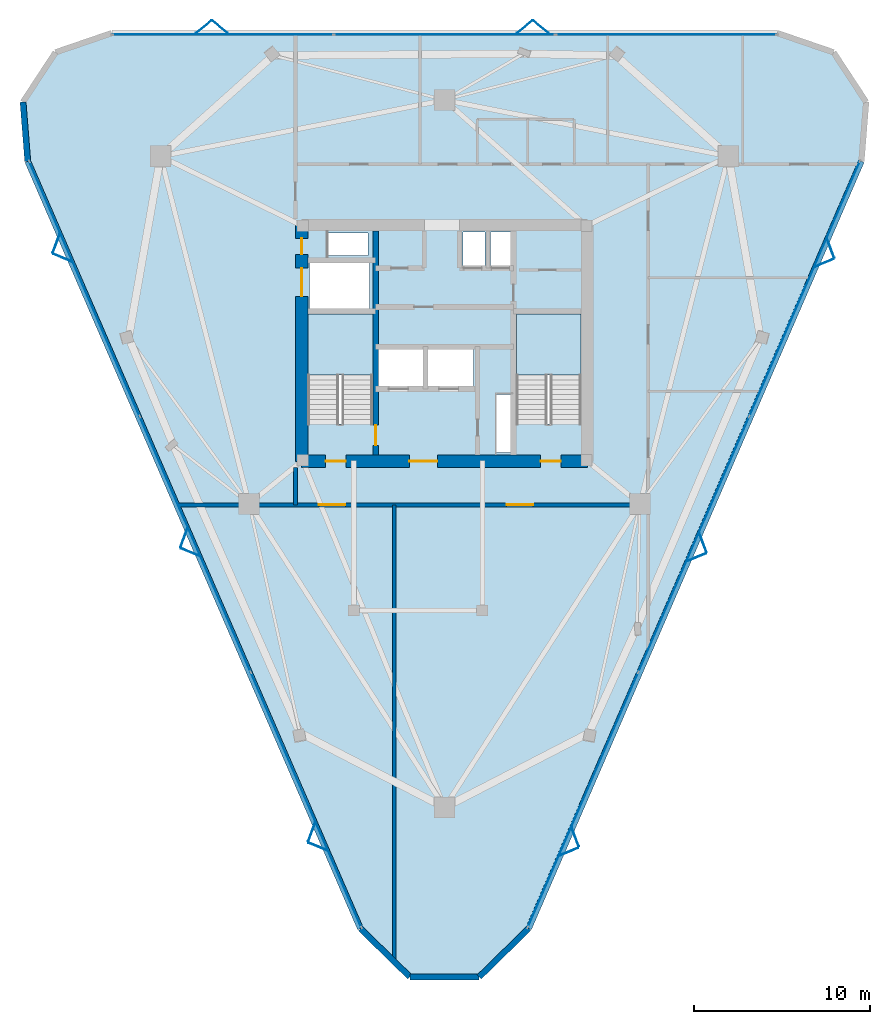
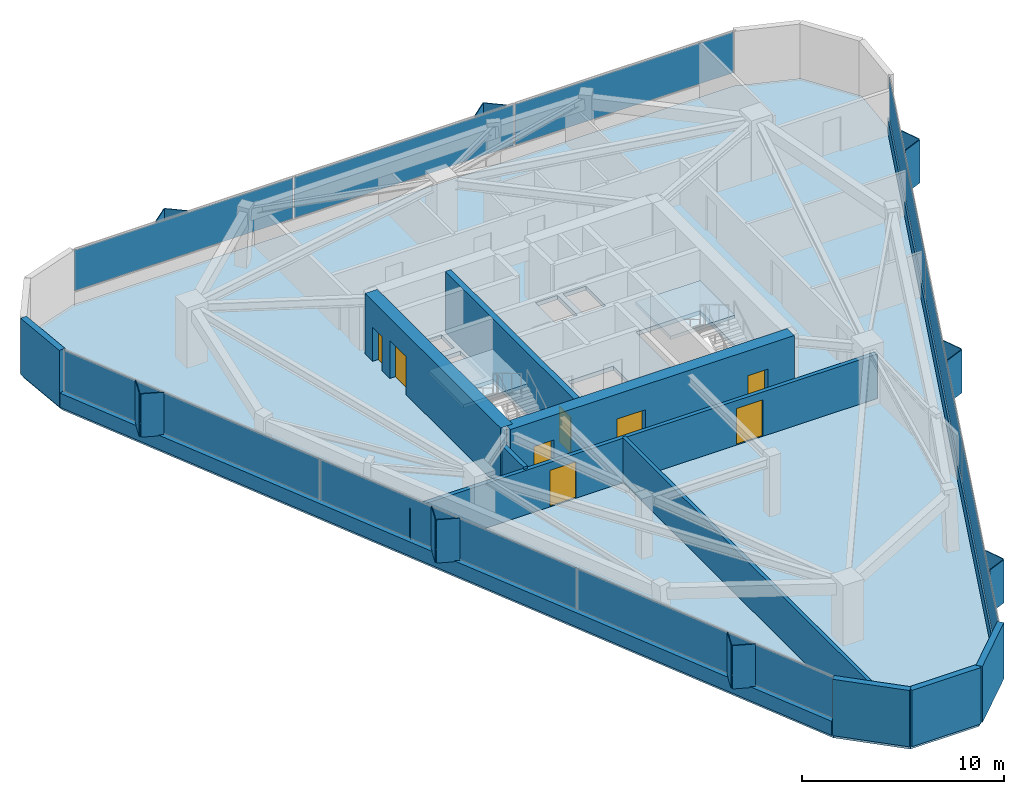
# One storey, part 8 of 11: 25 plates, 12 walls, 8 doors, 3 slabs, 8 openings, 5 elements without a shape of their own.
"""IFC4 building model written with IfcOpenShell, lengths in metres."""

from ifc_helpers import new_model, si_unit, direction, frame, frame_2d, origin, origin_2d, place, context, subcontext, project, spatial, polyline, rectangle, outline, extrude, material, layer, layer_set, type_object, element, fill, aggregate, save


model = new_model("IFC4")

# Units and contexts
model_context = context("Model", 3, precision=1e-05, world=origin(), true_north=direction((0.0, 1.0)))
body_context = subcontext(model_context, "Body", "Model", "MODEL_VIEW")
ifc_project = project(units=[si_unit("LENGTHUNIT", "METRE"), si_unit("AREAUNIT", "SQUARE_METRE"), si_unit("VOLUMEUNIT", "CUBIC_METRE"), si_unit("PLANEANGLEUNIT", "RADIAN"), si_unit("MASSUNIT", "GRAM", prefix="KILO")], contexts=[model_context])

# Site, building, storey
site_placement = place(None, origin())
site = spatial("IfcSite", under=ifc_project, at=site_placement, CompositionType="ELEMENT")
building_placement = place(site_placement, origin())
building = spatial("IfcBuilding", under=site, at=building_placement, Name="Talyreon Biosciences Tower", CompositionType="ELEMENT")
storey_placement = place(building_placement, frame((0.0, 0.0, 238.89990234375)))
storey = spatial("IfcBuildingStorey", under=building, at=storey_placement, Name="L63", CompositionType="ELEMENT", Elevation=238.89990234375)

# Curtain wall, plates
ifc_material_1 = material(Name="Thermally broken aluminium and low-E glazing", Category="aluminium")
ifc_layer_1 = layer(ifc_material_1, 0.175048828125)
ifc_layer_set_1 = layer_set([ifc_layer_1], Name="Thermally broken aluminium and low-E glazing")
curtain_wall_type = type_object("IfcCurtainWallType", Name="CurtainWall_Zone5CompLab", PredefinedType="NOTDEFINED", material=ifc_layer_set_1)
curtain_wall_1_placement = place(storey_placement, origin())
curtain_wall_1 = element("IfcCurtainWall", 1, at=curtain_wall_1_placement, inside=storey, type_object=curtain_wall_type, Name="L63 Unitised Curtain Wall FCW-L63-00", PredefinedType="NOTDEFINED")
ifc_material_2 = material(Name="Triple-silver low-E insulated glazing", Category="glass")
ifc_layer_2 = layer(ifc_material_2, 0.031982421875)
ifc_layer_set_2 = layer_set([ifc_layer_2], Name="Triple-silver low-E insulated glazing")
plate_type_1 = type_object("IfcPlateType", Name="CWGlazingPanel_32", PredefinedType="CURTAIN_PANEL", material=ifc_layer_set_2)
plate_1_placement = place(storey_placement, frame((58.1513671875, 42.10009765625, 0.875), z_axis=(0.0, 0.0, 1.0), x_axis=(-0.397832088162, 0.917458244079, 0.0)))
plate_1 = element("IfcPlate", 2, at=plate_1_placement, type_object=plate_type_1, Name="CW6 panel 1.1", PredefinedType="CURTAIN_PANEL", context=body_context, shape_type="SweptSolid", body=[
    extrude(rectangle(XDim=15.71240234375, YDim=0.031982421875, at=origin_2d()), origin(), (0.0, 0.0, 1.0), 2.4599609375),
])
plate_2_placement = place(storey_placement, frame((51.867919921875, 56.59033203125, 0.875), z_axis=(0.0, 0.0, 1.0), x_axis=(-0.397832088162, 0.917458244079, 0.0)))
plate_2 = element("IfcPlate", 3, at=plate_2_placement, type_object=plate_type_1, Name="CW6 panel 2.1", PredefinedType="CURTAIN_PANEL", context=body_context, shape_type="SweptSolid", body=[
    extrude(rectangle(XDim=15.7451171875, YDim=0.031982421875, at=origin_2d()), origin(), (0.0, 0.0, 1.0), 2.4599609375),
])
plate_3_placement = place(storey_placement, frame((45.584716796875, 71.080322265625, 0.875), z_axis=(0.0, 0.0, 1.0), x_axis=(-0.397832088162, 0.917458244079, 0.0)))
plate_3 = element("IfcPlate", 4, at=plate_3_placement, type_object=plate_type_1, Name="CW6 panel 3.1", PredefinedType="CURTAIN_PANEL", context=body_context, shape_type="SweptSolid", body=[
    extrude(rectangle(XDim=15.71240234375, YDim=0.031982421875, at=origin_2d()), origin(), (0.0, 0.0, 1.0), 2.4599609375),
])
aggregate(curtain_wall_1, [plate_1, plate_2, plate_3])

curtain_wall_2_placement = place(storey_placement, origin())
curtain_wall_2 = element("IfcCurtainWall", 5, at=curtain_wall_2_placement, inside=storey, type_object=curtain_wall_type, Name="L63 Unitised Curtain Wall FCW-L63-04", PredefinedType="NOTDEFINED")
plate_4_placement = place(storey_placement, frame((53.436767578125, 85.504638671875, 0.875), z_axis=(0.0, 0.0, 1.0), x_axis=(1.0, 0.0, 0.0)))
plate_4 = element("IfcPlate", 6, at=plate_4_placement, type_object=plate_type_1, Name="CW6 panel 1.1", PredefinedType="CURTAIN_PANEL", context=body_context, shape_type="SweptSolid", body=[
    extrude(rectangle(XDim=12.48193359375, YDim=0.031982421875, at=origin_2d()), origin(), (0.0, 0.0, 1.0), 2.4599609375),
])
plate_5_placement = place(storey_placement, frame((66.0, 85.504638671875, 0.875), z_axis=(0.0, 0.0, 1.0), x_axis=(1.0, 0.0, 0.0)))
plate_5 = element("IfcPlate", 7, at=plate_5_placement, type_object=plate_type_1, Name="CW6 panel 2.1", PredefinedType="CURTAIN_PANEL", context=body_context, shape_type="SweptSolid", body=[
    extrude(rectangle(XDim=12.514404296875, YDim=0.031982421875, at=origin_2d()), origin(), (0.0, 0.0, 1.0), 2.4599609375),
])
plate_6_placement = place(storey_placement, frame((78.563232421875, 85.504638671875, 0.875), z_axis=(0.0, 0.0, 1.0), x_axis=(1.0, 0.0, 0.0)))
plate_6 = element("IfcPlate", 8, at=plate_6_placement, type_object=plate_type_1, Name="CW6 panel 3.1", PredefinedType="CURTAIN_PANEL", context=body_context, shape_type="SweptSolid", body=[
    extrude(rectangle(XDim=12.48193359375, YDim=0.031982421875, at=origin_2d()), origin(), (0.0, 0.0, 1.0), 2.4599609375),
])
aggregate(curtain_wall_2, [plate_4, plate_5, plate_6])

curtain_wall_3_placement = place(storey_placement, origin())
curtain_wall_3 = element("IfcCurtainWall", 9, at=curtain_wall_3_placement, inside=storey, type_object=curtain_wall_type, Name="L63 Unitised Curtain Wall FCW-L63-08", PredefinedType="NOTDEFINED")
plate_7_placement = place(storey_placement, frame((86.415283203125, 71.080322265625, 0.875), z_axis=(0.0, 0.0, 1.0), x_axis=(-0.397832088162, -0.917458244079, 0.0)))
plate_7 = element("IfcPlate", 10, at=plate_7_placement, type_object=plate_type_1, Name="CW6 panel 1.1", PredefinedType="CURTAIN_PANEL", context=body_context, shape_type="SweptSolid", body=[
    extrude(rectangle(XDim=15.71240234375, YDim=0.031982421875, at=origin_2d()), origin(), (0.0, 0.0, 1.0), 2.4599609375),
])
plate_8_placement = place(storey_placement, frame((80.132080078125, 56.59033203125, 0.875), z_axis=(0.0, 0.0, 1.0), x_axis=(-0.397832088162, -0.917458244079, 0.0)))
plate_8 = element("IfcPlate", 11, at=plate_8_placement, type_object=plate_type_1, Name="CW6 panel 2.1", PredefinedType="CURTAIN_PANEL", context=body_context, shape_type="SweptSolid", body=[
    extrude(rectangle(XDim=15.7451171875, YDim=0.031982421875, at=origin_2d()), origin(), (0.0, 0.0, 1.0), 2.4599609375),
])
plate_9_placement = place(storey_placement, frame((73.8486328125, 42.10009765625, 0.875), z_axis=(0.0, 0.0, 1.0), x_axis=(-0.397832088162, -0.917458244079, 0.0)))
plate_9 = element("IfcPlate", 12, at=plate_9_placement, type_object=plate_type_1, Name="CW6 panel 3.1", PredefinedType="CURTAIN_PANEL", context=body_context, shape_type="SweptSolid", body=[
    extrude(rectangle(XDim=15.71240234375, YDim=0.031982421875, at=origin_2d()), origin(), (0.0, 0.0, 1.0), 2.4599609375),
])
aggregate(curtain_wall_3, [plate_7, plate_8, plate_9])

# Slab
ifc_material_3 = material(Name="Concrete C40/50", Category="concrete")
ifc_layer_3 = layer(ifc_material_3, 0.25)
ifc_layer_set_3 = layer_set([ifc_layer_3], Name="Concrete C40/50")
slab_type_1 = type_object("IfcSlabType", Name="DryLabFloorSlab_250", PredefinedType="FLOOR", material=ifc_layer_set_3)
slab_1_placement = place(storey_placement, frame((0.0, 0.0, -0.25)))
element("IfcSlab", 13, at=slab_1_placement, inside=storey, type_object=slab_type_1, Name="L63 Structural Floor Slab", PredefinedType="FLOOR", context=body_context, shape_type="SweptSolid", body=[
    extrude(outline(polyline([(61.229248046875, 34.80078125), (42.360107421875, 78.31591796875), (42.093505859375, 81.67529296875), (43.942626953125, 84.49267578125), (47.130615234375, 85.584716796875), (84.869140625, 85.584716796875), (88.057373046875, 84.49267578125), (89.906494140625, 81.67529296875), (89.639892578125, 78.31591796875), (70.770751953125, 34.80078125), (67.963623046875, 32.0546875), (64.036376953125, 32.0546875), (61.229248046875, 34.80078125)]), holes=[polyline([(69.820068359375, 65.10009765625), (69.820068359375, 61.800048828125), (68.9599609375, 61.800048828125), (68.9599609375, 65.10009765625), (69.820068359375, 65.10009765625)]), polyline([(61.929931640625, 69.64990234375), (61.929931640625, 63.407958984375), (58.25, 63.407958984375), (58.25, 69.64990234375), (61.929931640625, 69.64990234375)]), polyline([(73.75, 69.64990234375), (73.75, 63.407958984375), (70.070068359375, 63.407958984375), (70.070068359375, 69.64990234375), (73.75, 69.64990234375)]), polyline([(64.800048828125, 67.64990234375), (64.800048828125, 65.550048828125), (62.199951171875, 65.550048828125), (62.199951171875, 67.64990234375), (64.800048828125, 67.64990234375)]), polyline([(67.64990234375, 67.64990234375), (67.64990234375, 65.550048828125), (65.050048828125, 65.550048828125), (65.050048828125, 67.64990234375), (67.64990234375, 67.64990234375)]), polyline([(61.75, 72.550048828125), (61.75, 69.97998046875), (58.35009765625, 69.97998046875), (58.35009765625, 72.550048828125), (61.75, 72.550048828125)]), polyline([(68.300048828125, 74.300048828125), (68.300048828125, 72.35009765625), (67.050048828125, 72.35009765625), (67.050048828125, 74.300048828125), (68.300048828125, 74.300048828125)]), polyline([(69.919921875, 72.35009765625), (68.6201171875, 72.35009765625), (68.6201171875, 74.300048828125), (69.919921875, 74.300048828125), (69.919921875, 72.35009765625)]), polyline([(61.64990234375, 72.9599609375), (59.39990234375, 72.9599609375), (59.39990234375, 74.25), (61.64990234375, 74.25), (61.64990234375, 72.9599609375)])]), origin(), (0.0, 0.0, 1.0), 0.25),
])

# Plates
ifc_material_4 = material(Name="Ivory GFRC sunshade panel", Category="concrete")
ifc_layer_4 = layer(ifc_material_4, 0.044921875)
ifc_layer_set_4 = layer_set([ifc_layer_4], Name="Ivory GFRC sunshade panel")
plate_type_2 = type_object("IfcPlateType", Name="FoldedVSunshade_NorthFace_SUNSHADE", PredefinedType="USERDEFINED", material=ifc_layer_set_4)
for number, where, z_axis, x_axis, name in (
    (14, (52.3505859375, 85.944580078125, 0.7900390625), (0.0, 0.0, 1.0), (0.771624583388, 0.636078220278, 0.0), "L63 Folded V-Sunshade Panel 04.01L"),
    (15, (53.250732421875, 85.944580078125, 0.7900390625), (0.0, 0.0, 1.0), (0.771624583388, -0.636078220278, 0.0), "L63 Folded V-Sunshade Panel 04.01R"),
    (16, (70.55078125, 85.944580078125, 0.7900390625), (0.0, 0.0, 1.0), (0.771624583388, 0.636078220278, 0.0), "L63 Folded V-Sunshade Panel 04.02L"),
    (17, (71.45068359375, 85.944580078125, 0.7900390625), (0.0, 0.0, 1.0), (0.771624583388, -0.636078220278, 0.0), "L63 Folded V-Sunshade Panel 04.02R"),
):
    element("IfcPlate", number, at=place(storey_placement, frame(where, z_axis=z_axis, x_axis=x_axis)), inside=storey, type_object=plate_type_2, Name=name, ObjectType="SUNSHADE", PredefinedType="USERDEFINED", context=body_context, shape_type="SweptSolid", body=[
        extrude(rectangle(XDim=1.14990234375, YDim=0.044921875, at=origin_2d()), origin(), (0.0, 0.0, 1.0), 2.610107421875),
    ])
ifc_layer_5 = layer(ifc_material_4, 0.044921875)
ifc_layer_set_5 = layer_set([ifc_layer_5], Name="Ivory GFRC sunshade panel")
plate_type_3 = type_object("IfcPlateType", Name="FoldedVSunshade_SunFace_SUNSHADE", PredefinedType="USERDEFINED", material=ifc_layer_set_5)
for number, where, z_axis, x_axis, name in (
    (18, (58.822265625, 39.44677734375, 0.7900390625), (0.0, 0.0, 1.0), (-0.923498367496, 0.383602353007, 0.0), "L63 Folded V-Sunshade Panel 00.01L"),
    (19, (58.464111328125, 40.2724609375, 0.7900390625), (0.0, 0.0, 1.0), (0.351139044587, 0.936323326296, 0.0), "L63 Folded V-Sunshade Panel 00.01R"),
    (20, (51.581787109375, 56.14453125, 0.7900390625), (0.0, 0.0, 1.0), (-0.923498367496, 0.383602353007, 0.0), "L63 Folded V-Sunshade Panel 00.02L"),
    (21, (51.2236328125, 56.97021484375, 0.7900390625), (0.0, 0.0, 1.0), (0.351139044587, 0.936323326296, 0.0), "L63 Folded V-Sunshade Panel 00.02R"),
    (22, (44.341064453125, 72.84228515625, 0.7900390625), (0.0, 0.0, 1.0), (-0.923498367496, 0.383602353007, 0.0), "L63 Folded V-Sunshade Panel 00.03L"),
    (23, (43.983154296875, 73.66796875, 0.7900390625), (0.0, 0.0, 1.0), (0.351139044587, 0.936323326296, 0.0), "L63 Folded V-Sunshade Panel 00.03R"),
    (24, (87.8935546875, 73.383544921875, 0.7900390625), (0.0, 0.0, 1.0), (0.351139044587, -0.936323326296, 0.0), "L63 Folded V-Sunshade Panel 08.01L"),
    (25, (87.53564453125, 72.557861328125, 0.7900390625), (0.0, 0.0, 1.0), (-0.923498367496, -0.383602353007, 0.0), "L63 Folded V-Sunshade Panel 08.01R"),
    (26, (80.653076171875, 56.685791015625, 0.7900390625), (0.0, 0.0, 1.0), (0.351139044587, -0.936323326296, 0.0), "L63 Folded V-Sunshade Panel 08.02L"),
    (27, (80.294921875, 55.860107421875, 0.7900390625), (0.0, 0.0, 1.0), (-0.923498367496, -0.383602353007, 0.0), "L63 Folded V-Sunshade Panel 08.02R"),
    (28, (73.41259765625, 39.98828125, 0.7900390625), (0.0, 0.0, 1.0), (0.351139044587, -0.936323326296, 0.0), "L63 Folded V-Sunshade Panel 08.03L"),
    (29, (73.054443359375, 39.16259765625, 0.7900390625), (0.0, 0.0, 1.0), (-0.923498367496, -0.383602353007, 0.0), "L63 Folded V-Sunshade Panel 08.03R"),
):
    element("IfcPlate", number, at=place(storey_placement, frame(where, z_axis=z_axis, x_axis=x_axis)), inside=storey, type_object=plate_type_3, Name=name, ObjectType="SUNSHADE", PredefinedType="USERDEFINED", context=body_context, shape_type="SweptSolid", body=[
        extrude(rectangle(XDim=1.14990234375, YDim=0.044921875, at=origin_2d()), origin(), (0.0, 0.0, 1.0), 2.610107421875),
    ])

# Stair, slab
stair_type = type_object("IfcStairType", Name="DoglegEscapeStair_3650", PredefinedType="HALF_TURN_STAIR", material=ifc_material_3)
stair_1_placement = place(storey_placement, origin())
stair_1 = element("IfcStair", 30, at=stair_1_placement, inside=storey, type_object=stair_type, Name="L63 Core Escape Stair 1", PredefinedType="HALF_TURN_STAIR")
ifc_layer_6 = layer(ifc_material_3, 0.199951171875)
ifc_layer_set_6 = layer_set([ifc_layer_6], Name="Concrete C40/50")
slab_type_2 = type_object("IfcSlabType", Name="StairLandingSlab_200", PredefinedType="LANDING", material=ifc_layer_set_6)
slab_2_placement = place(storey_placement, frame((0.0, 0.0, 1.625)))
slab_2 = element("IfcSlab", 31, at=slab_2_placement, type_object=slab_type_2, Name="ST-1 landing 1", PredefinedType="LANDING", context=body_context, shape_type="SweptSolid", body=[
    extrude(outline(polyline([(61.929931640625, 66.199951171875), (61.929931640625, 69.64990234375), (58.25, 69.64990234375), (58.25, 66.199951171875), (61.929931640625, 66.199951171875)])), origin(), (0.0, 0.0, 1.0), 0.2001953125),
])
aggregate(stair_1, [slab_2])

stair_2_placement = place(storey_placement, origin())
stair_2 = element("IfcStair", 32, at=stair_2_placement, inside=storey, type_object=stair_type, Name="L63 Core Escape Stair 2", PredefinedType="HALF_TURN_STAIR")
slab_3_placement = place(storey_placement, frame((0.0, 0.0, 1.625)))
slab_3 = element("IfcSlab", 33, at=slab_3_placement, type_object=slab_type_2, Name="ST-2 landing 1", PredefinedType="LANDING", context=body_context, shape_type="SweptSolid", body=[
    extrude(outline(polyline([(73.75, 66.199951171875), (73.75, 69.64990234375), (70.070068359375, 69.64990234375), (70.070068359375, 66.199951171875), (73.75, 66.199951171875)])), origin(), (0.0, 0.0, 1.0), 0.2001953125),
])
aggregate(stair_2, [slab_3])

# Wall
ifc_material_5 = material(Name="Gypsum fireboard acoustic stud", Category="gypsum")
ifc_layer_7 = layer(ifc_material_5, 0.199951171875)
ifc_layer_set_7 = layer_set([ifc_layer_7], Name="Gypsum fireboard acoustic stud")
wall_type_1 = type_object("IfcWallType", Name="ChemControlPartition_200", PredefinedType="PARTITIONING", material=ifc_layer_set_7)
wall_1_placement = place(storey_placement, frame((63.156005859375, 33.034912109375, 0.0), z_axis=(0.0, 0.0, 1.0), x_axis=(0.0, 1.0, 0.0)))
element("IfcWall", 34, at=wall_1_placement, inside=storey, type_object=wall_type_1, Name="L63 Interior Wall IW-L63-SDIV1", PredefinedType="PARTITIONING", context=body_context, shape_type="SweptSolid", body=[
    extrude(rectangle(XDim=25.795166015625, YDim=0.199951171875, at=frame_2d((12.8974609375, 0.0))), origin(), (0.0, 0.0, 1.0), 2.68017578125),
])

# Wall, opening, door
ifc_material_6 = material(Name="Concrete C50/60", Category="concrete")
ifc_layer_8 = layer(ifc_material_6, 0.320068359375)
ifc_layer_set_8 = layer_set([ifc_layer_8], Name="Concrete C50/60")
wall_type_2 = type_object("IfcWallType", Name="CoreShearWall_320", PredefinedType="SHEAR", material=ifc_layer_set_8)
wall_2_placement = place(storey_placement, frame((62.090087890625, 61.64990234375, 0.0), z_axis=(0.0, 0.0, 1.0), x_axis=(0.0, 1.0, 0.0)))
wall_2 = element("IfcWall", 35, at=wall_2_placement, inside=storey, type_object=wall_type_2, Name="L63 Core Shaft Wall SW1E", PredefinedType="SHEAR", context=body_context, shape_type="SweptSolid", body=[
    extrude(rectangle(XDim=12.7001953125, YDim=0.320068359375, at=frame_2d((6.35009765625, 0.0))), origin(), (0.0, 0.0, 1.0), 3.650146484375),
])
opening_1_placement = place(wall_2_placement, frame((0.550048828125, 0.0, 0.0)))
opening_1 = element("IfcOpeningElement", 36, at=opening_1_placement, cuts=wall_2, Name="Opening DR-L63-FF-ST1", PredefinedType="OPENING", context=body_context, shape_type="SweptSolid", body=[
    extrude(rectangle(XDim=1.14990234375, YDim=2.14990234375, at=frame_2d((0.574951171875, 1.074951171875))), frame((0.0, 0.169921875, 0.0), z_axis=(0.0, -1.0, 0.0), x_axis=(1.0, 0.0, 0.0)), (0.0, 0.0, 1.0), 0.340087890625),
])
ifc_material_7 = material(Name="Painted steel fire door", Category="steel")
door_type_1 = type_object("IfcDoorType", Name="StairShaftFireDoor_1150x2150", OperationType="NOTDEFINED", PredefinedType="DOOR", material=ifc_material_7)
door_1_placement = place(opening_1_placement, origin())
door_1 = element("IfcDoor", 37, at=door_1_placement, inside=storey, type_object=door_type_1, Name="L63 Core Door DR-L63-FF-ST1", OperationType="SINGLE_SWING_LEFT", OverallHeight=2.14990234375, OverallWidth=1.14990234375, PredefinedType="DOOR", context=body_context, shape_type="SweptSolid", body=[
    extrude(rectangle(XDim=1.14990234375, YDim=2.14990234375, at=frame_2d((0.574951171875, 1.074951171875))), frame((0.0, 0.02490234375, 0.0), z_axis=(0.0, -1.0, 0.0), x_axis=(1.0, 0.0, 0.0)), (0.0, 0.0, 1.0), 0.050048828125),
])
fill(opening_1, door_1)

# Wall, openings, doors
ifc_layer_9 = layer(ifc_material_6, 0.699951171875)
ifc_layer_set_9 = layer_set([ifc_layer_9], Name="Concrete C50/60")
wall_type_3 = type_object("IfcWallType", Name="CoreShearWall_700", PredefinedType="SHEAR", material=ifc_layer_set_9)
wall_3_placement = place(storey_placement, frame((57.89990234375, 61.300048828125, 0.0), z_axis=(0.0, 0.0, 1.0), x_axis=(1.0, 0.0, 0.0)))
wall_3 = element("IfcWall", 38, at=wall_3_placement, inside=storey, type_object=wall_type_3, Name="L63 Core Shear Wall S", PredefinedType="SHEAR", context=body_context, shape_type="SweptSolid", body=[
    extrude(rectangle(XDim=16.2001953125, YDim=0.699951171875, at=frame_2d((8.10009765625, 0.0))), origin(), (0.0, 0.0, 1.0), 3.650146484375),
])
opening_2_placement = place(wall_3_placement, frame((1.35009765625, 0.0, 0.0)))
opening_2 = element("IfcOpeningElement", 39, at=opening_2_placement, cuts=wall_3, Name="Opening DR-L63-ST1", PredefinedType="OPENING", context=body_context, shape_type="SweptSolid", body=[
    extrude(rectangle(XDim=1.14990234375, YDim=2.14990234375, at=frame_2d((0.574951171875, 1.074951171875))), frame((0.0, 0.35986328125, 0.0), z_axis=(0.0, -1.0, 0.0), x_axis=(1.0, 0.0, 0.0)), (0.0, 0.0, 1.0), 0.719970703125),
])
opening_3_placement = place(wall_3_placement, frame((6.10009765625, 0.0, 0.0)))
opening_3 = element("IfcOpeningElement", 40, at=opening_3_placement, cuts=wall_3, Name="Opening DR-L63-FFL", PredefinedType="OPENING", context=body_context, shape_type="SweptSolid", body=[
    extrude(rectangle(XDim=1.60009765625, YDim=2.14990234375, at=frame_2d((0.800048828125, 1.074951171875))), frame((0.0, 0.35986328125, 0.0), z_axis=(0.0, -1.0, 0.0), x_axis=(1.0, 0.0, 0.0)), (0.0, 0.0, 1.0), 0.719970703125),
])
opening_4_placement = place(wall_3_placement, frame((13.550048828125, 0.0, 0.0)))
opening_4 = element("IfcOpeningElement", 41, at=opening_4_placement, cuts=wall_3, Name="Opening DR-L63-ST2", PredefinedType="OPENING", context=body_context, shape_type="SweptSolid", body=[
    extrude(rectangle(XDim=1.14990234375, YDim=2.14990234375, at=frame_2d((0.574951171875, 1.074951171875))), frame((0.0, 0.35986328125, 0.0), z_axis=(0.0, -1.0, 0.0), x_axis=(1.0, 0.0, 0.0)), (0.0, 0.0, 1.0), 0.719970703125),
])
ifc_material_8 = material(Name="Painted steel smoke-seal fire door", Category="steel")
door_type_2 = type_object("IfcDoorType", Name="FirefightingLobbyDoubleDoor_1600x2150", OperationType="DOUBLE_DOOR_SINGLE_SWING", PredefinedType="DOOR", material=ifc_material_8)
door_2_placement = place(opening_3_placement, origin())
door_2 = element("IfcDoor", 42, at=door_2_placement, inside=storey, type_object=door_type_2, Name="L63 Core Door DR-L63-FFL", OperationType="DOUBLE_DOOR_SINGLE_SWING", OverallHeight=2.14990234375, OverallWidth=1.60009765625, PredefinedType="DOOR", context=body_context, shape_type="SweptSolid", body=[
    extrude(rectangle(XDim=1.60009765625, YDim=2.14990234375, at=frame_2d((0.800048828125, 1.074951171875))), frame((0.0, 0.02490234375, 0.0), z_axis=(0.0, -1.0, 0.0), x_axis=(1.0, 0.0, 0.0)), (0.0, 0.0, 1.0), 0.050048828125),
])
fill(opening_3, door_2)
door_3_placement = place(opening_2_placement, origin())
door_3 = element("IfcDoor", 43, at=door_3_placement, inside=storey, type_object=door_type_1, Name="L63 Core Door DR-L63-ST1", OperationType="SINGLE_SWING_LEFT", OverallHeight=2.14990234375, OverallWidth=1.14990234375, PredefinedType="DOOR", context=body_context, shape_type="SweptSolid", body=[
    extrude(rectangle(XDim=1.14990234375, YDim=2.14990234375, at=frame_2d((0.574951171875, 1.074951171875))), frame((0.0, 0.02490234375, 0.0), z_axis=(0.0, -1.0, 0.0), x_axis=(1.0, 0.0, 0.0)), (0.0, 0.0, 1.0), 0.050048828125),
])
fill(opening_2, door_3)
door_4_placement = place(opening_4_placement, origin())
door_4 = element("IfcDoor", 44, at=door_4_placement, inside=storey, type_object=door_type_1, Name="L63 Core Door DR-L63-ST2", OperationType="SINGLE_SWING_RIGHT", OverallHeight=2.14990234375, OverallWidth=1.14990234375, PredefinedType="DOOR", context=body_context, shape_type="SweptSolid", body=[
    extrude(rectangle(XDim=1.14990234375, YDim=2.14990234375, at=frame_2d((0.574951171875, 1.074951171875))), frame((0.0, 0.02490234375, 0.0), z_axis=(0.0, -1.0, 0.0), x_axis=(1.0, 0.0, 0.0)), (0.0, 0.0, 1.0), 0.050048828125),
])
fill(opening_4, door_4)

wall_4_placement = place(storey_placement, frame((57.89990234375, 74.699951171875, 0.0), z_axis=(0.0, 0.0, 1.0), x_axis=(0.0, -1.0, 0.0)))
wall_4 = element("IfcWall", 45, at=wall_4_placement, inside=storey, type_object=wall_type_3, Name="L63 Core Shear Wall W", PredefinedType="SHEAR", context=body_context, shape_type="SweptSolid", body=[
    extrude(rectangle(XDim=13.39990234375, YDim=0.699951171875, at=frame_2d((6.699951171875, 0.0))), origin(), (0.0, 0.0, 1.0), 3.650146484375),
])
opening_5_placement = place(wall_4_placement, frame((0.75, 0.0, 0.0)))
opening_5 = element("IfcOpeningElement", 46, at=opening_5_placement, cuts=wall_4, Name="Opening DR-L63-RSW", PredefinedType="OPENING", context=body_context, shape_type="SweptSolid", body=[
    extrude(rectangle(XDim=0.919921875, YDim=2.050048828125, at=frame_2d((0.4599609375, 1.02490234375))), frame((0.0, 0.35986328125, 0.0), z_axis=(0.0, -1.0, 0.0), x_axis=(1.0, 0.0, 0.0)), (0.0, 0.0, 1.0), 0.719970703125),
])
opening_6_placement = place(wall_4_placement, frame((2.449951171875, 0.0, 0.0)))
opening_6 = element("IfcOpeningElement", 47, at=opening_6_placement, cuts=wall_4, Name="Opening LD-L63-GL1", PredefinedType="OPENING", context=body_context, shape_type="SweptSolid", body=[
    extrude(rectangle(XDim=1.60009765625, YDim=2.300048828125, at=frame_2d((0.800048828125, 1.14990234375))), frame((0.0, 0.35986328125, 0.0), z_axis=(0.0, -1.0, 0.0), x_axis=(1.0, 0.0, 0.0)), (0.0, 0.0, 1.0), 0.719970703125),
])
ifc_material_9 = material(Name="Heavy-duty stainless-steel goods lift door", Category="steel")
door_type_3 = type_object("IfcDoorType", Name="GoodsLiftSlidingDoor_1600x2300", OperationType="DOUBLE_DOOR_SLIDING", PredefinedType="DOOR", material=ifc_material_9)
door_5_placement = place(opening_6_placement, origin())
door_5 = element("IfcDoor", 48, at=door_5_placement, inside=storey, type_object=door_type_3, Name="L63 Core Door LD-L63-GL1", OperationType="DOUBLE_DOOR_SLIDING", OverallHeight=2.300048828125, OverallWidth=1.60009765625, PredefinedType="DOOR", context=body_context, shape_type="SweptSolid", body=[
    extrude(rectangle(XDim=1.60009765625, YDim=2.300048828125, at=frame_2d((0.800048828125, 1.14990234375))), frame((0.0, 0.02490234375, 0.0), z_axis=(0.0, -1.0, 0.0), x_axis=(1.0, 0.0, 0.0)), (0.0, 0.0, 1.0), 0.050048828125),
])
fill(opening_6, door_5)
ifc_material_10 = material(Name="Painted steel fire-rated riser door", Category="steel")
door_type_4 = type_object("IfcDoorType", Name="RiserPlantAccessDoor_920x2050", OperationType="NOTDEFINED", PredefinedType="DOOR", material=ifc_material_10)
door_6_placement = place(opening_5_placement, origin())
door_6 = element("IfcDoor", 49, at=door_6_placement, inside=storey, type_object=door_type_4, Name="L63 Core Door DR-L63-RSW", OperationType="SINGLE_SWING_LEFT", OverallHeight=2.050048828125, OverallWidth=0.919921875, PredefinedType="DOOR", context=body_context, shape_type="SweptSolid", body=[
    extrude(rectangle(XDim=0.919921875, YDim=2.050048828125, at=frame_2d((0.4599609375, 1.02490234375))), frame((0.0, 0.02490234375, 0.0), z_axis=(0.0, -1.0, 0.0), x_axis=(1.0, 0.0, 0.0)), (0.0, 0.0, 1.0), 0.050048828125),
])
fill(opening_5, door_6)

ifc_layer_10 = layer(ifc_material_5, 0.219970703125)
ifc_layer_set_10 = layer_set([ifc_layer_10], Name="Gypsum fireboard acoustic stud")
wall_type_4 = type_object("IfcWallType", Name="CorridorRatedPartition_220", PredefinedType="PARTITIONING", material=ifc_layer_set_10)
wall_5_placement = place(storey_placement, frame((50.902099609375, 58.830078125, 0.0), z_axis=(0.0, 0.0, 1.0), x_axis=(1.0, 0.0, 0.0)))
wall_5 = element("IfcWall", 50, at=wall_5_placement, inside=storey, type_object=wall_type_4, Name="L63 Interior Wall IW-L63-COR-S", PredefinedType="PARTITIONING", context=body_context, shape_type="SweptSolid", body=[
    extrude(rectangle(XDim=26.64794921875, YDim=0.219970703125, at=frame_2d((13.323974609375, 0.0))), origin(), (0.0, 0.0, 1.0), 2.68017578125),
])
opening_7_placement = place(wall_5_placement, frame((7.968017578125, 0.0, 0.0)))
opening_7 = element("IfcOpeningElement", 51, at=opening_7_placement, cuts=wall_5, Name="Opening DR-L63-S1A", PredefinedType="OPENING", context=body_context, shape_type="SweptSolid", body=[
    extrude(rectangle(XDim=1.5, YDim=2.199951171875, at=frame_2d((0.75, 1.10009765625))), frame((0.0, 0.119873046875, 0.0), z_axis=(0.0, -1.0, 0.0), x_axis=(1.0, 0.0, 0.0)), (0.0, 0.0, 1.0), 0.239990234375),
])
opening_8_placement = place(wall_5_placement, frame((18.6259765625, 0.0, 0.0)))
opening_8 = element("IfcOpeningElement", 52, at=opening_8_placement, cuts=wall_5, Name="Opening DR-L63-S2A", PredefinedType="OPENING", context=body_context, shape_type="SweptSolid", body=[
    extrude(rectangle(XDim=1.5, YDim=2.199951171875, at=frame_2d((0.75, 1.10009765625))), frame((0.0, 0.119873046875, 0.0), z_axis=(0.0, -1.0, 0.0), x_axis=(1.0, 0.0, 0.0)), (0.0, 0.0, 1.0), 0.239990234375),
])
ifc_material_11 = material(Name="Vision-panel steel laboratory fire door", Category="steel")
door_type_5 = type_object("IfcDoorType", Name="WetLabDoubleLeafDoor_1500x2200", OperationType="DOUBLE_DOOR_SINGLE_SWING", PredefinedType="DOOR", material=ifc_material_11)
door_7_placement = place(opening_7_placement, origin())
door_7 = element("IfcDoor", 53, at=door_7_placement, inside=storey, type_object=door_type_5, Name="L63 Interior Door DR-L63-S1A", OperationType="DOUBLE_DOOR_SINGLE_SWING", OverallHeight=2.199951171875, OverallWidth=1.5, PredefinedType="DOOR", context=body_context, shape_type="SweptSolid", body=[
    extrude(rectangle(XDim=1.5, YDim=2.199951171875, at=frame_2d((0.75, 1.10009765625))), frame((0.0, 0.02490234375, 0.0), z_axis=(0.0, -1.0, 0.0), x_axis=(1.0, 0.0, 0.0)), (0.0, 0.0, 1.0), 0.050048828125),
])
fill(opening_7, door_7)
door_8_placement = place(opening_8_placement, origin())
door_8 = element("IfcDoor", 54, at=door_8_placement, inside=storey, type_object=door_type_5, Name="L63 Interior Door DR-L63-S2A", OperationType="DOUBLE_DOOR_SINGLE_SWING", OverallHeight=2.199951171875, OverallWidth=1.5, PredefinedType="DOOR", context=body_context, shape_type="SweptSolid", body=[
    extrude(rectangle(XDim=1.5, YDim=2.199951171875, at=frame_2d((0.75, 1.10009765625))), frame((0.0, 0.02490234375, 0.0), z_axis=(0.0, -1.0, 0.0), x_axis=(1.0, 0.0, 0.0)), (0.0, 0.0, 1.0), 0.050048828125),
])
fill(opening_8, door_8)

# Walls
wall_6_placement = place(storey_placement, frame((57.550048828125, 58.830078125, 0.0), z_axis=(0.0, 0.0, 1.0), x_axis=(0.0, 1.0, 0.0)))
element("IfcWall", 55, at=wall_6_placement, inside=storey, type_object=wall_type_4, Name="L63 Interior Wall IW-L63-WCAP-S", PredefinedType="PARTITIONING", context=body_context, shape_type="SweptSolid", body=[
    extrude(rectangle(XDim=2.119873046875, YDim=0.219970703125, at=frame_2d((1.06005859375, 0.0))), origin(), (0.0, 0.0, 1.0), 2.830078125),
])
ifc_material_12 = material(Name="Precast concrete C45/55", Category="concrete")
ifc_layer_11 = layer(ifc_material_12, 0.340087890625)
ifc_layer_set_11 = layer_set([ifc_layer_11], Name="Precast concrete C45/55")
wall_type_5 = type_object("IfcWallType", Name="PrecastConcreteSpandrelWall_340", PredefinedType="STANDARD", material=ifc_layer_set_11)
wall_7_placement = place(storey_placement, frame((61.229248046875, 34.80078125, 0.0), z_axis=(0.0, 0.0, 1.0), x_axis=(-0.397830751874, 0.917458823525, 0.0)))
element("IfcWall", 56, at=wall_7_placement, inside=storey, type_object=wall_type_5, Name="L63 Expressed Concrete Sill Wall 00", PredefinedType="STANDARD", context=body_context, shape_type="SweptSolid", body=[
    extrude(rectangle(XDim=47.43017578125, YDim=0.340087890625, at=frame_2d((23.715087890625, 0.0))), origin(), (0.0, 0.0, 1.0), 0.85009765625),
])
wall_8_placement = place(storey_placement, frame((42.360107421875, 78.31591796875, 0.0), z_axis=(0.0, 0.0, 1.0), x_axis=(-0.079111730003, 0.996865755343, 0.0)))
element("IfcWall", 57, at=wall_8_placement, inside=storey, type_object=wall_type_5, Name="L63 Rounded-Corner Concrete Pier 01", PredefinedType="STANDARD", context=body_context, shape_type="SweptSolid", body=[
    extrude(rectangle(XDim=3.369873046875, YDim=0.340087890625, at=frame_2d((1.68505859375, 0.0))), origin(), (0.0, 0.0, 1.0), 3.400146484375),
])
wall_9_placement = place(storey_placement, frame((89.639892578125, 78.31591796875, 0.0), z_axis=(0.0, 0.0, 1.0), x_axis=(-0.397830751874, -0.917458823525, 0.0)))
element("IfcWall", 58, at=wall_9_placement, inside=storey, type_object=wall_type_5, Name="L63 Expressed Concrete Sill Wall 08", PredefinedType="STANDARD", context=body_context, shape_type="SweptSolid", body=[
    extrude(rectangle(XDim=47.43017578125, YDim=0.340087890625, at=frame_2d((23.715087890625, 0.0))), origin(), (0.0, 0.0, 1.0), 0.85009765625),
])
wall_10_placement = place(storey_placement, frame((70.770751953125, 34.80078125, 0.0), z_axis=(0.0, 0.0, 1.0), x_axis=(-0.714835376788, -0.699292774231, 0.0)))
element("IfcWall", 59, at=wall_10_placement, inside=storey, type_object=wall_type_5, Name="L63 Rounded-Corner Concrete Pier 09", PredefinedType="STANDARD", context=body_context, shape_type="SweptSolid", body=[
    extrude(rectangle(XDim=3.927001953125, YDim=0.340087890625, at=frame_2d((1.96337890625, 0.0))), origin(), (0.0, 0.0, 1.0), 3.400146484375),
])
wall_11_placement = place(storey_placement, frame((67.963623046875, 32.0546875, 0.0), z_axis=(0.0, 0.0, 1.0), x_axis=(-1.0, 0.0, 0.0)))
element("IfcWall", 60, at=wall_11_placement, inside=storey, type_object=wall_type_5, Name="L63 Rounded-Corner Concrete Pier 10", PredefinedType="STANDARD", context=body_context, shape_type="SweptSolid", body=[
    extrude(rectangle(XDim=3.92724609375, YDim=0.340087890625, at=frame_2d((1.963623046875, 0.0))), origin(), (0.0, 0.0, 1.0), 3.400146484375),
])
wall_12_placement = place(storey_placement, frame((64.036376953125, 32.0546875, 0.0), z_axis=(0.0, 0.0, 1.0), x_axis=(-0.714835376788, 0.699292774231, 0.0)))
element("IfcWall", 61, at=wall_12_placement, inside=storey, type_object=wall_type_5, Name="L63 Rounded-Corner Concrete Pier 11", PredefinedType="STANDARD", context=body_context, shape_type="SweptSolid", body=[
    extrude(rectangle(XDim=3.927001953125, YDim=0.340087890625, at=frame_2d((1.96337890625, 0.0))), origin(), (0.0, 0.0, 1.0), 3.400146484375),
])

save(model, "model.ifc")
